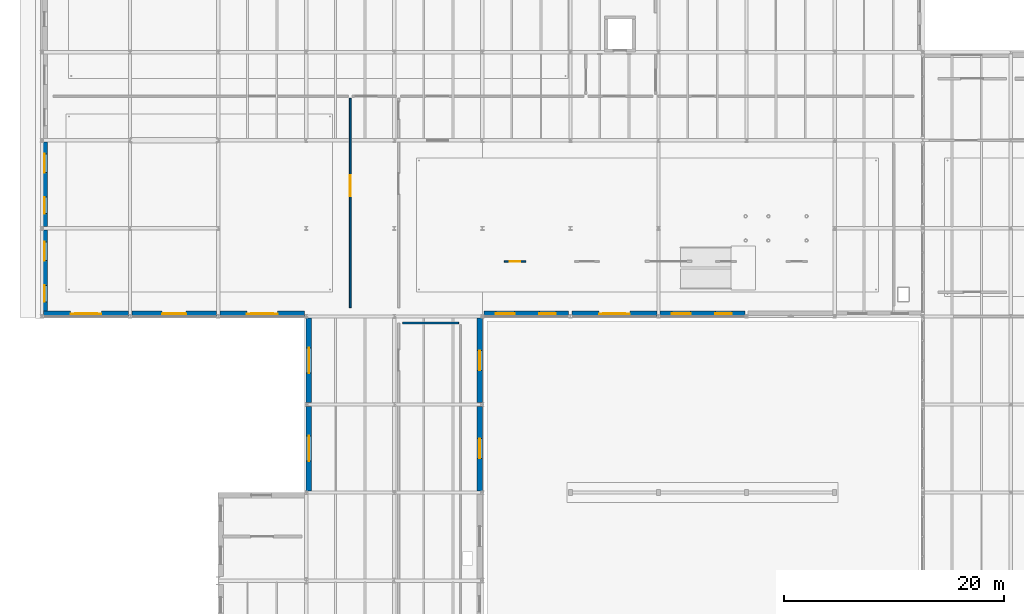
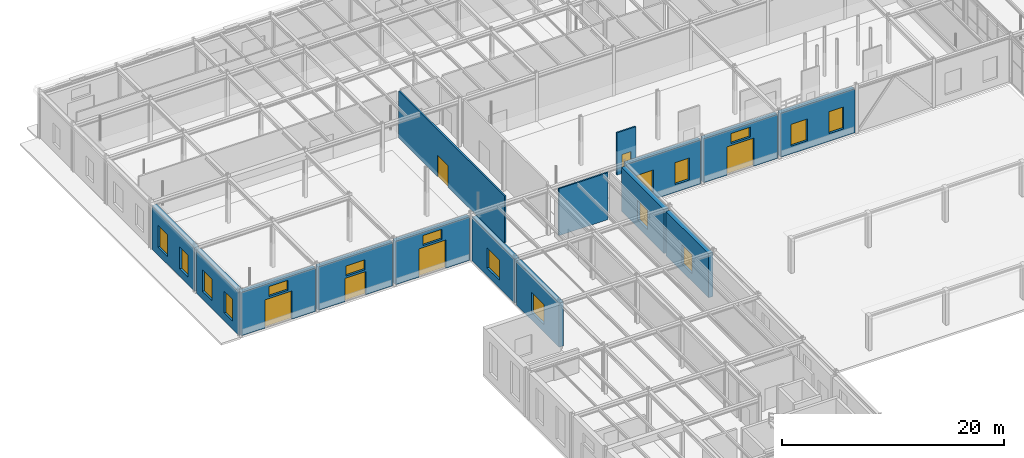
# One storey, part 79 of 129: 16 windows, 15 walls, 6 doors, 22 openings.
"""IFC4 building model written with IfcOpenShell, lengths in metres."""

from ifc_helpers import new_model, si_unit, direction, frame, frame_2d, origin, place, context, subcontext, project, spatial, rectangle, extrude, material, layer, layer_set, type_object, element, fill, save


model = new_model("IFC4")

# Units and contexts
model_context = context("Model", 3, precision=1e-05, world=origin(), true_north=direction((0.0, 1.0)))
body_context = subcontext(model_context, "Body", "Model", "MODEL_VIEW")
ifc_project = project(units=[si_unit("LENGTHUNIT", "METRE"), si_unit("AREAUNIT", "SQUARE_METRE"), si_unit("VOLUMEUNIT", "CUBIC_METRE"), si_unit("PLANEANGLEUNIT", "RADIAN"), si_unit("MASSUNIT", "GRAM", prefix="KILO")], contexts=[model_context])

# Site, building, storey
site_placement = place(None, origin())
site = spatial("IfcSite", under=ifc_project, at=site_placement, CompositionType="ELEMENT")
building_placement = place(site_placement, origin())
building = spatial("IfcBuilding", under=site, at=building_placement, Name="Sundkrona Museum", CompositionType="ELEMENT")
storey_placement = place(building_placement, origin())
storey = spatial("IfcBuildingStorey", under=building, at=storey_placement, Name="L00", CompositionType="ELEMENT", Elevation=0.0)

# Wall, openings, door, window
ifc_material_1 = material(Name="Danian Limestone Ashlar Masonry 480 mm", Category="masonry")
ifc_layer_1 = layer(ifc_material_1, 0.47998046875)
ifc_layer_set_1 = layer_set([ifc_layer_1], Name="Danian Limestone Ashlar Masonry 480 mm")
wall_type_1 = type_object("IfcWallType", Name="W-LIM-480", PredefinedType="SOLIDWALL", material=ifc_layer_set_1)
wall_1_placement = place(storey_placement, frame((7.847900390625, 78.239990234375, 0.0), z_axis=(0.0, 0.0, 1.0), x_axis=(-1.0, 0.0, 0.0)))
wall_1 = element("IfcWall", 1, at=wall_1_placement, inside=storey, type_object=wall_type_1, Name="L00 Facade Wall 0094", PredefinedType="SOLIDWALL", context=body_context, shape_type="SweptSolid", body=[
    extrude(rectangle(XDim=7.69580078125, YDim=0.47998046875, at=frame_2d((3.847900390625, 0.0))), origin(), (0.0, 0.0, 1.0), 4.77490234375),
])
opening_1_placement = place(wall_1_placement, frame((2.447998046875, 0.0, 0.0)))
opening_1 = element("IfcOpeningElement", 2, at=opening_1_placement, cuts=wall_1, Name="Opening D-EX-280", PredefinedType="OPENING", context=body_context, shape_type="SweptSolid", body=[
    extrude(rectangle(XDim=2.800048828125, YDim=3.10009765625, at=frame_2d((1.39990234375, 1.550048828125))), frame((0.0, 0.25, 0.0), z_axis=(0.0, -1.0, 0.0), x_axis=(1.0, 0.0, 0.0)), (0.0, 0.0, 1.0), 0.5),
])
opening_2_placement = place(wall_1_placement, frame((2.847900390625, 0.0, 3.320068359375)))
opening_2 = element("IfcOpeningElement", 3, at=opening_2_placement, cuts=wall_1, Name="Opening WN-CL-200x110", PredefinedType="OPENING", context=body_context, shape_type="SweptSolid", body=[
    extrude(rectangle(XDim=2.0, YDim=1.10009765625, at=frame_2d((1.0, 0.550048828125))), frame((0.0, 0.25, 0.0), z_axis=(0.0, -1.0, 0.0), x_axis=(1.0, 0.0, 0.0)), (0.0, 0.0, 1.0), 0.5),
])
ifc_material_2 = material(Name="Bronze and Triple-Glazed Entrance Door", Category="other")
door_type_1 = type_object("IfcDoorType", Name="D-EX-280", OperationType="DOUBLE_DOOR_SINGLE_SWING", PredefinedType="DOOR", material=ifc_material_2)
door_1_placement = place(opening_1_placement, origin())
door_1 = element("IfcDoor", 4, at=door_1_placement, inside=storey, type_object=door_type_1, Name="L00 Exterior Door D-EX-280 DR-FE-V3S-0", OperationType="DOUBLE_DOOR_SINGLE_SWING", OverallHeight=3.10009765625, OverallWidth=2.800048828125, PredefinedType="DOOR", context=body_context, shape_type="SweptSolid", body=[
    extrude(rectangle(XDim=2.800048828125, YDim=3.10009765625, at=frame_2d((1.39990234375, 1.550048828125))), frame((0.0, 0.02490234375, 0.0), z_axis=(0.0, -1.0, 0.0), x_axis=(1.0, 0.0, 0.0)), (0.0, 0.0, 1.0), 0.050048828125),
])
fill(opening_1, door_1)
ifc_material_3 = material(Name="Triple Low-E Argon Glazing in Bronze-Anodised Aluminium", Category="aluminium")
window_type_1 = type_object("IfcWindowType", Name="WN-CL-200x110", PartitioningType="DOUBLE_PANEL_HORIZONTAL", PredefinedType="WINDOW", material=ifc_material_3)
window_1_placement = place(opening_2_placement, origin())
window_1 = element("IfcWindow", 5, at=window_1_placement, inside=storey, type_object=window_type_1, Name="L00 Archive foyer clerestory window 2000x1100 WIN-L00-0129", OverallHeight=1.10009765625, OverallWidth=2.0, PartitioningType="DOUBLE_PANEL_HORIZONTAL", PredefinedType="WINDOW", context=body_context, shape_type="SweptSolid", body=[
    extrude(rectangle(XDim=2.0, YDim=1.10009765625, at=frame_2d((1.0, 0.550048828125))), frame((0.0, 0.030029296875, 0.0), z_axis=(0.0, -1.0, 0.0), x_axis=(1.0, 0.0, 0.0)), (0.0, 0.0, 1.0), 0.06005859375),
])
fill(opening_2, window_1)

wall_2_placement = place(storey_placement, frame((15.847900390625, 78.239990234375, 0.0), z_axis=(0.0, 0.0, 1.0), x_axis=(-1.0, 0.0, 0.0)))
wall_2 = element("IfcWall", 6, at=wall_2_placement, inside=storey, type_object=wall_type_1, Name="L00 Facade Wall 0095", PredefinedType="SOLIDWALL", context=body_context, shape_type="SweptSolid", body=[
    extrude(rectangle(XDim=7.69580078125, YDim=0.47998046875, at=frame_2d((3.847900390625, 0.0))), origin(), (0.0, 0.0, 1.0), 4.77490234375),
])
opening_3_placement = place(wall_2_placement, frame((2.748046875, 0.0, 0.0)))
opening_3 = element("IfcOpeningElement", 7, at=opening_3_placement, cuts=wall_2, Name="Opening D-EX-220", PredefinedType="OPENING", context=body_context, shape_type="SweptSolid", body=[
    extrude(rectangle(XDim=2.199951171875, YDim=2.550048828125, at=frame_2d((1.10009765625, 1.27490234375))), frame((0.0, 0.25, 0.0), z_axis=(0.0, -1.0, 0.0), x_axis=(1.0, 0.0, 0.0)), (0.0, 0.0, 1.0), 0.5),
])
opening_4_placement = place(wall_2_placement, frame((2.847900390625, 0.0, 2.77001953125)))
opening_4 = element("IfcOpeningElement", 8, at=opening_4_placement, cuts=wall_2, Name="Opening WN-CL-200x110", PredefinedType="OPENING", context=body_context, shape_type="SweptSolid", body=[
    extrude(rectangle(XDim=2.0, YDim=1.10009765625, at=frame_2d((1.0, 0.550048828125))), frame((0.0, 0.25, 0.0), z_axis=(0.0, -1.0, 0.0), x_axis=(1.0, 0.0, 0.0)), (0.0, 0.0, 1.0), 0.5),
])
ifc_material_4 = material(Name="Thermally Broken Bronze Exit Door", Category="other")
door_type_2 = type_object("IfcDoorType", Name="D-EX-220", OperationType="DOUBLE_DOOR_SINGLE_SWING", PredefinedType="DOOR", material=ifc_material_4)
door_2_placement = place(opening_3_placement, origin())
door_2 = element("IfcDoor", 9, at=door_2_placement, inside=storey, type_object=door_type_2, Name="L00 Exterior Door D-EX-220 DR-FE-V3S-8", OperationType="DOUBLE_DOOR_SINGLE_SWING", OverallHeight=2.550048828125, OverallWidth=2.199951171875, PredefinedType="DOOR", context=body_context, shape_type="SweptSolid", body=[
    extrude(rectangle(XDim=2.199951171875, YDim=2.550048828125, at=frame_2d((1.10009765625, 1.27490234375))), frame((0.0, 0.02490234375, 0.0), z_axis=(0.0, -1.0, 0.0), x_axis=(1.0, 0.0, 0.0)), (0.0, 0.0, 1.0), 0.050048828125),
])
fill(opening_3, door_2)
window_2_placement = place(opening_4_placement, origin())
window_2 = element("IfcWindow", 10, at=window_2_placement, inside=storey, type_object=window_type_1, Name="L00 Archive foyer clerestory window 2000x1100 WIN-L00-0130", OverallHeight=1.10009765625, OverallWidth=2.0, PartitioningType="DOUBLE_PANEL_HORIZONTAL", PredefinedType="WINDOW", context=body_context, shape_type="SweptSolid", body=[
    extrude(rectangle(XDim=2.0, YDim=1.10009765625, at=frame_2d((1.0, 0.550048828125))), frame((0.0, 0.030029296875, 0.0), z_axis=(0.0, -1.0, 0.0), x_axis=(1.0, 0.0, 0.0)), (0.0, 0.0, 1.0), 0.06005859375),
])
fill(opening_4, window_2)

wall_3_placement = place(storey_placement, frame((23.847900390625, 78.239990234375, 0.0), z_axis=(0.0, 0.0, 1.0), x_axis=(-1.0, 0.0, 0.0)))
wall_3 = element("IfcWall", 11, at=wall_3_placement, inside=storey, type_object=wall_type_1, Name="L00 Facade Wall 0096", PredefinedType="SOLIDWALL", context=body_context, shape_type="SweptSolid", body=[
    extrude(rectangle(XDim=7.69580078125, YDim=0.47998046875, at=frame_2d((3.847900390625, 0.0))), origin(), (0.0, 0.0, 1.0), 4.77490234375),
])
opening_5_placement = place(wall_3_placement, frame((2.447998046875, 0.0, 0.0)))
opening_5 = element("IfcOpeningElement", 12, at=opening_5_placement, cuts=wall_3, Name="Opening D-EX-280", PredefinedType="OPENING", context=body_context, shape_type="SweptSolid", body=[
    extrude(rectangle(XDim=2.800048828125, YDim=3.10009765625, at=frame_2d((1.39990234375, 1.550048828125))), frame((0.0, 0.25, 0.0), z_axis=(0.0, -1.0, 0.0), x_axis=(1.0, 0.0, 0.0)), (0.0, 0.0, 1.0), 0.5),
])
opening_6_placement = place(wall_3_placement, frame((2.847900390625, 0.0, 3.320068359375)))
opening_6 = element("IfcOpeningElement", 13, at=opening_6_placement, cuts=wall_3, Name="Opening WN-CL-200x110", PredefinedType="OPENING", context=body_context, shape_type="SweptSolid", body=[
    extrude(rectangle(XDim=2.0, YDim=1.10009765625, at=frame_2d((1.0, 0.550048828125))), frame((0.0, 0.25, 0.0), z_axis=(0.0, -1.0, 0.0), x_axis=(1.0, 0.0, 0.0)), (0.0, 0.0, 1.0), 0.5),
])
door_3_placement = place(opening_5_placement, origin())
door_3 = element("IfcDoor", 14, at=door_3_placement, inside=storey, type_object=door_type_1, Name="L00 Exterior Door D-EX-280 DR-FE-V3S-16", OperationType="DOUBLE_DOOR_SINGLE_SWING", OverallHeight=3.10009765625, OverallWidth=2.800048828125, PredefinedType="DOOR", context=body_context, shape_type="SweptSolid", body=[
    extrude(rectangle(XDim=2.800048828125, YDim=3.10009765625, at=frame_2d((1.39990234375, 1.550048828125))), frame((0.0, 0.02490234375, 0.0), z_axis=(0.0, -1.0, 0.0), x_axis=(1.0, 0.0, 0.0)), (0.0, 0.0, 1.0), 0.050048828125),
])
fill(opening_5, door_3)
window_3_placement = place(opening_6_placement, origin())
window_3 = element("IfcWindow", 15, at=window_3_placement, inside=storey, type_object=window_type_1, Name="L00 Archive foyer clerestory window 2000x1100 WIN-L00-0131", OverallHeight=1.10009765625, OverallWidth=2.0, PartitioningType="DOUBLE_PANEL_HORIZONTAL", PredefinedType="WINDOW", context=body_context, shape_type="SweptSolid", body=[
    extrude(rectangle(XDim=2.0, YDim=1.10009765625, at=frame_2d((1.0, 0.550048828125))), frame((0.0, 0.030029296875, 0.0), z_axis=(0.0, -1.0, 0.0), x_axis=(1.0, 0.0, 0.0)), (0.0, 0.0, 1.0), 0.06005859375),
])
fill(opening_6, window_3)

# Wall, openings, windows
wall_4_placement = place(storey_placement, frame((47.847900390625, 78.239990234375, 0.0), z_axis=(0.0, 0.0, 1.0), x_axis=(-1.0, 0.0, 0.0)))
wall_4 = element("IfcWall", 16, at=wall_4_placement, inside=storey, type_object=wall_type_1, Name="L00 Facade Wall 0097", PredefinedType="SOLIDWALL", context=body_context, shape_type="SweptSolid", body=[
    extrude(rectangle(XDim=7.69580078125, YDim=0.47998046875, at=frame_2d((3.847900390625, 0.0))), origin(), (0.0, 0.0, 1.0), 4.8349609375),
])
opening_7_placement = place(wall_4_placement, frame((1.174072265625, 0.0, 0.85009765625)))
opening_7 = element("IfcOpeningElement", 17, at=opening_7_placement, cuts=wall_4, Name="Opening WN-GL-150x240", PredefinedType="OPENING", context=body_context, shape_type="SweptSolid", body=[
    extrude(rectangle(XDim=1.5, YDim=2.39990234375, at=frame_2d((0.75, 1.199951171875))), frame((0.0, 0.25, 0.0), z_axis=(0.0, -1.0, 0.0), x_axis=(1.0, 0.0, 0.0)), (0.0, 0.0, 1.0), 0.5),
])
opening_8_placement = place(wall_4_placement, frame((4.922119140625, 0.0, 0.85009765625)))
opening_8 = element("IfcOpeningElement", 18, at=opening_8_placement, cuts=wall_4, Name="Opening WN-GL-170x240", PredefinedType="OPENING", context=body_context, shape_type="SweptSolid", body=[
    extrude(rectangle(XDim=1.699951171875, YDim=2.39990234375, at=frame_2d((0.85009765625, 1.199951171875))), frame((0.0, 0.25, 0.0), z_axis=(0.0, -1.0, 0.0), x_axis=(1.0, 0.0, 0.0)), (0.0, 0.0, 1.0), 0.5),
])
window_type_2 = type_object("IfcWindowType", Name="WN-GL-150x240", PartitioningType="SINGLE_PANEL", PredefinedType="WINDOW", material=ifc_material_3)
window_4_placement = place(opening_7_placement, origin())
window_4 = element("IfcWindow", 19, at=window_4_placement, inside=storey, type_object=window_type_2, Name="L00 Finned wing deep-reveal gallery window 1500x2400 WIN-L00-0132", OverallHeight=2.39990234375, OverallWidth=1.5, PartitioningType="SINGLE_PANEL", PredefinedType="WINDOW", context=body_context, shape_type="SweptSolid", body=[
    extrude(rectangle(XDim=1.5, YDim=2.39990234375, at=frame_2d((0.75, 1.199951171875))), frame((0.0, 0.030029296875, 0.0), z_axis=(0.0, -1.0, 0.0), x_axis=(1.0, 0.0, 0.0)), (0.0, 0.0, 1.0), 0.06005859375),
])
fill(opening_7, window_4)
window_type_3 = type_object("IfcWindowType", Name="WN-GL-170x240", PartitioningType="DOUBLE_PANEL_VERTICAL", PredefinedType="WINDOW", material=ifc_material_3)
window_5_placement = place(opening_8_placement, origin())
window_5 = element("IfcWindow", 20, at=window_5_placement, inside=storey, type_object=window_type_3, Name="L00 Finned wing wide gallery window 1700x2400 WIN-L00-0133", OverallHeight=2.39990234375, OverallWidth=1.699951171875, PartitioningType="DOUBLE_PANEL_VERTICAL", PredefinedType="WINDOW", context=body_context, shape_type="SweptSolid", body=[
    extrude(rectangle(XDim=1.699951171875, YDim=2.39990234375, at=frame_2d((0.85009765625, 1.199951171875))), frame((0.0, 0.030029296875, 0.0), z_axis=(0.0, -1.0, 0.0), x_axis=(1.0, 0.0, 0.0)), (0.0, 0.0, 1.0), 0.06005859375),
])
fill(opening_8, window_5)

# Wall, openings, door, window
wall_5_placement = place(storey_placement, frame((55.847900390625, 78.239990234375, 0.0), z_axis=(0.0, 0.0, 1.0), x_axis=(-1.0, 0.0, 0.0)))
wall_5 = element("IfcWall", 21, at=wall_5_placement, inside=storey, type_object=wall_type_1, Name="L00 Facade Wall 0098", PredefinedType="SOLIDWALL", context=body_context, shape_type="SweptSolid", body=[
    extrude(rectangle(XDim=7.69580078125, YDim=0.47998046875, at=frame_2d((3.847900390625, 0.0))), origin(), (0.0, 0.0, 1.0), 4.8349609375),
])
opening_9_placement = place(wall_5_placement, frame((2.447998046875, 0.0, 0.0)))
opening_9 = element("IfcOpeningElement", 22, at=opening_9_placement, cuts=wall_5, Name="Opening D-EX-280", PredefinedType="OPENING", context=body_context, shape_type="SweptSolid", body=[
    extrude(rectangle(XDim=2.800048828125, YDim=3.10009765625, at=frame_2d((1.39990234375, 1.550048828125))), frame((0.0, 0.25, 0.0), z_axis=(0.0, -1.0, 0.0), x_axis=(1.0, 0.0, 0.0)), (0.0, 0.0, 1.0), 0.5),
])
opening_10_placement = place(wall_5_placement, frame((2.847900390625, 0.0, 3.320068359375)))
opening_10 = element("IfcOpeningElement", 23, at=opening_10_placement, cuts=wall_5, Name="Opening WN-CL-200x110", PredefinedType="OPENING", context=body_context, shape_type="SweptSolid", body=[
    extrude(rectangle(XDim=2.0, YDim=1.10009765625, at=frame_2d((1.0, 0.550048828125))), frame((0.0, 0.25, 0.0), z_axis=(0.0, -1.0, 0.0), x_axis=(1.0, 0.0, 0.0)), (0.0, 0.0, 1.0), 0.5),
])
door_4_placement = place(opening_9_placement, origin())
door_4 = element("IfcDoor", 24, at=door_4_placement, inside=storey, type_object=door_type_1, Name="L00 Exterior Door D-EX-280 DR-FE-V3S-48", OperationType="DOUBLE_DOOR_SINGLE_SWING", OverallHeight=3.10009765625, OverallWidth=2.800048828125, PredefinedType="DOOR", context=body_context, shape_type="SweptSolid", body=[
    extrude(rectangle(XDim=2.800048828125, YDim=3.10009765625, at=frame_2d((1.39990234375, 1.550048828125))), frame((0.0, 0.02490234375, 0.0), z_axis=(0.0, -1.0, 0.0), x_axis=(1.0, 0.0, 0.0)), (0.0, 0.0, 1.0), 0.050048828125),
])
fill(opening_9, door_4)
window_6_placement = place(opening_10_placement, origin())
window_6 = element("IfcWindow", 25, at=window_6_placement, inside=storey, type_object=window_type_1, Name="L00 Archive foyer clerestory window 2000x1100 WIN-L00-0134", OverallHeight=1.10009765625, OverallWidth=2.0, PartitioningType="DOUBLE_PANEL_HORIZONTAL", PredefinedType="WINDOW", context=body_context, shape_type="SweptSolid", body=[
    extrude(rectangle(XDim=2.0, YDim=1.10009765625, at=frame_2d((1.0, 0.550048828125))), frame((0.0, 0.030029296875, 0.0), z_axis=(0.0, -1.0, 0.0), x_axis=(1.0, 0.0, 0.0)), (0.0, 0.0, 1.0), 0.06005859375),
])
fill(opening_10, window_6)

# Wall, openings, windows
wall_6_placement = place(storey_placement, frame((63.847900390625, 78.239990234375, 0.0), z_axis=(0.0, 0.0, 1.0), x_axis=(-1.0, 0.0, 0.0)))
wall_6 = element("IfcWall", 26, at=wall_6_placement, inside=storey, type_object=wall_type_1, Name="L00 Facade Wall 0099", PredefinedType="SOLIDWALL", context=body_context, shape_type="SweptSolid", body=[
    extrude(rectangle(XDim=7.69580078125, YDim=0.47998046875, at=frame_2d((3.847900390625, 0.0))), origin(), (0.0, 0.0, 1.0), 4.8349609375),
])
opening_11_placement = place(wall_6_placement, frame((1.174072265625, 0.0, 0.85009765625)))
opening_11 = element("IfcOpeningElement", 27, at=opening_11_placement, cuts=wall_6, Name="Opening WN-GL-150x240", PredefinedType="OPENING", context=body_context, shape_type="SweptSolid", body=[
    extrude(rectangle(XDim=1.5, YDim=2.39990234375, at=frame_2d((0.75, 1.199951171875))), frame((0.0, 0.25, 0.0), z_axis=(0.0, -1.0, 0.0), x_axis=(1.0, 0.0, 0.0)), (0.0, 0.0, 1.0), 0.5),
])
opening_12_placement = place(wall_6_placement, frame((4.922119140625, 0.0, 0.85009765625)))
opening_12 = element("IfcOpeningElement", 28, at=opening_12_placement, cuts=wall_6, Name="Opening WN-GL-170x240", PredefinedType="OPENING", context=body_context, shape_type="SweptSolid", body=[
    extrude(rectangle(XDim=1.699951171875, YDim=2.39990234375, at=frame_2d((0.85009765625, 1.199951171875))), frame((0.0, 0.25, 0.0), z_axis=(0.0, -1.0, 0.0), x_axis=(1.0, 0.0, 0.0)), (0.0, 0.0, 1.0), 0.5),
])
window_7_placement = place(opening_11_placement, origin())
window_7 = element("IfcWindow", 29, at=window_7_placement, inside=storey, type_object=window_type_2, Name="L00 Finned wing deep-reveal gallery window 1500x2400 WIN-L00-0135", OverallHeight=2.39990234375, OverallWidth=1.5, PartitioningType="SINGLE_PANEL", PredefinedType="WINDOW", context=body_context, shape_type="SweptSolid", body=[
    extrude(rectangle(XDim=1.5, YDim=2.39990234375, at=frame_2d((0.75, 1.199951171875))), frame((0.0, 0.030029296875, 0.0), z_axis=(0.0, -1.0, 0.0), x_axis=(1.0, 0.0, 0.0)), (0.0, 0.0, 1.0), 0.06005859375),
])
fill(opening_11, window_7)
window_8_placement = place(opening_12_placement, origin())
window_8 = element("IfcWindow", 30, at=window_8_placement, inside=storey, type_object=window_type_3, Name="L00 Finned wing wide gallery window 1700x2400 WIN-L00-0136", OverallHeight=2.39990234375, OverallWidth=1.699951171875, PartitioningType="DOUBLE_PANEL_VERTICAL", PredefinedType="WINDOW", context=body_context, shape_type="SweptSolid", body=[
    extrude(rectangle(XDim=1.699951171875, YDim=2.39990234375, at=frame_2d((0.85009765625, 1.199951171875))), frame((0.0, 0.030029296875, 0.0), z_axis=(0.0, -1.0, 0.0), x_axis=(1.0, 0.0, 0.0)), (0.0, 0.0, 1.0), 0.06005859375),
])
fill(opening_12, window_8)

wall_7_placement = place(storey_placement, frame((0.239990234375, 78.162109375, 0.0), z_axis=(0.0, 0.0, 1.0), x_axis=(0.0, 1.0, 0.0)))
wall_7 = element("IfcWall", 31, at=wall_7_placement, inside=storey, type_object=wall_type_1, Name="L00 Facade Wall 0102", PredefinedType="SOLIDWALL", context=body_context, shape_type="SweptSolid", body=[
    extrude(rectangle(XDim=7.67578125, YDim=0.47998046875, at=frame_2d((3.837890625, 0.0))), origin(), (0.0, 0.0, 1.0), 4.77490234375),
])
opening_13_placement = place(wall_7_placement, frame((1.1689453125, 0.0, 0.85009765625)))
opening_13 = element("IfcOpeningElement", 32, at=opening_13_placement, cuts=wall_7, Name="Opening WN-GL-150x240", PredefinedType="OPENING", context=body_context, shape_type="SweptSolid", body=[
    extrude(rectangle(XDim=1.5, YDim=2.39990234375, at=frame_2d((0.75, 1.199951171875))), frame((0.0, 0.25, 0.0), z_axis=(0.0, -1.0, 0.0), x_axis=(1.0, 0.0, 0.0)), (0.0, 0.0, 1.0), 0.5),
])
opening_14_placement = place(wall_7_placement, frame((4.906982421875, 0.0, 0.85009765625)))
opening_14 = element("IfcOpeningElement", 33, at=opening_14_placement, cuts=wall_7, Name="Opening WN-GL-170x240", PredefinedType="OPENING", context=body_context, shape_type="SweptSolid", body=[
    extrude(rectangle(XDim=1.699951171875, YDim=2.39990234375, at=frame_2d((0.85009765625, 1.199951171875))), frame((0.0, 0.25, 0.0), z_axis=(0.0, -1.0, 0.0), x_axis=(1.0, 0.0, 0.0)), (0.0, 0.0, 1.0), 0.5),
])
window_9_placement = place(opening_13_placement, origin())
window_9 = element("IfcWindow", 34, at=window_9_placement, inside=storey, type_object=window_type_2, Name="L00 Finned wing deep-reveal gallery window 1500x2400 WIN-L00-0139", OverallHeight=2.39990234375, OverallWidth=1.5, PartitioningType="SINGLE_PANEL", PredefinedType="WINDOW", context=body_context, shape_type="SweptSolid", body=[
    extrude(rectangle(XDim=1.5, YDim=2.39990234375, at=frame_2d((0.75, 1.199951171875))), frame((0.0, 0.030029296875, 0.0), z_axis=(0.0, -1.0, 0.0), x_axis=(1.0, 0.0, 0.0)), (0.0, 0.0, 1.0), 0.06005859375),
])
fill(opening_13, window_9)
window_10_placement = place(opening_14_placement, origin())
window_10 = element("IfcWindow", 35, at=window_10_placement, inside=storey, type_object=window_type_3, Name="L00 Finned wing wide gallery window 1700x2400 WIN-L00-0140", OverallHeight=2.39990234375, OverallWidth=1.699951171875, PartitioningType="DOUBLE_PANEL_VERTICAL", PredefinedType="WINDOW", context=body_context, shape_type="SweptSolid", body=[
    extrude(rectangle(XDim=1.699951171875, YDim=2.39990234375, at=frame_2d((0.85009765625, 1.199951171875))), frame((0.0, 0.030029296875, 0.0), z_axis=(0.0, -1.0, 0.0), x_axis=(1.0, 0.0, 0.0)), (0.0, 0.0, 1.0), 0.06005859375),
])
fill(opening_14, window_10)

wall_8_placement = place(storey_placement, frame((0.239990234375, 86.162109375, 0.0), z_axis=(0.0, 0.0, 1.0), x_axis=(0.0, 1.0, 0.0)))
wall_8 = element("IfcWall", 36, at=wall_8_placement, inside=storey, type_object=wall_type_1, Name="L00 Facade Wall 0103", PredefinedType="SOLIDWALL", context=body_context, shape_type="SweptSolid", body=[
    extrude(rectangle(XDim=7.67578125, YDim=0.47998046875, at=frame_2d((3.837890625, 0.0))), origin(), (0.0, 0.0, 1.0), 4.77490234375),
])
opening_15_placement = place(wall_8_placement, frame((1.1689453125, 0.0, 0.85009765625)))
opening_15 = element("IfcOpeningElement", 37, at=opening_15_placement, cuts=wall_8, Name="Opening WN-GL-150x240", PredefinedType="OPENING", context=body_context, shape_type="SweptSolid", body=[
    extrude(rectangle(XDim=1.5, YDim=2.39990234375, at=frame_2d((0.75, 1.199951171875))), frame((0.0, 0.25, 0.0), z_axis=(0.0, -1.0, 0.0), x_axis=(1.0, 0.0, 0.0)), (0.0, 0.0, 1.0), 0.5),
])
opening_16_placement = place(wall_8_placement, frame((4.906982421875, 0.0, 0.85009765625)))
opening_16 = element("IfcOpeningElement", 38, at=opening_16_placement, cuts=wall_8, Name="Opening WN-GL-170x240", PredefinedType="OPENING", context=body_context, shape_type="SweptSolid", body=[
    extrude(rectangle(XDim=1.699951171875, YDim=2.39990234375, at=frame_2d((0.85009765625, 1.199951171875))), frame((0.0, 0.25, 0.0), z_axis=(0.0, -1.0, 0.0), x_axis=(1.0, 0.0, 0.0)), (0.0, 0.0, 1.0), 0.5),
])
window_11_placement = place(opening_15_placement, origin())
window_11 = element("IfcWindow", 39, at=window_11_placement, inside=storey, type_object=window_type_2, Name="L00 Finned wing deep-reveal gallery window 1500x2400 WIN-L00-0141", OverallHeight=2.39990234375, OverallWidth=1.5, PartitioningType="SINGLE_PANEL", PredefinedType="WINDOW", context=body_context, shape_type="SweptSolid", body=[
    extrude(rectangle(XDim=1.5, YDim=2.39990234375, at=frame_2d((0.75, 1.199951171875))), frame((0.0, 0.030029296875, 0.0), z_axis=(0.0, -1.0, 0.0), x_axis=(1.0, 0.0, 0.0)), (0.0, 0.0, 1.0), 0.06005859375),
])
fill(opening_15, window_11)
window_12_placement = place(opening_16_placement, origin())
window_12 = element("IfcWindow", 40, at=window_12_placement, inside=storey, type_object=window_type_3, Name="L00 Finned wing wide gallery window 1700x2400 WIN-L00-0142", OverallHeight=2.39990234375, OverallWidth=1.699951171875, PartitioningType="DOUBLE_PANEL_VERTICAL", PredefinedType="WINDOW", context=body_context, shape_type="SweptSolid", body=[
    extrude(rectangle(XDim=1.699951171875, YDim=2.39990234375, at=frame_2d((0.85009765625, 1.199951171875))), frame((0.0, 0.030029296875, 0.0), z_axis=(0.0, -1.0, 0.0), x_axis=(1.0, 0.0, 0.0)), (0.0, 0.0, 1.0), 0.06005859375),
])
fill(opening_16, window_12)

# Wall, opening, window
wall_9_placement = place(storey_placement, frame((24.239990234375, 62.162109375, 0.0), z_axis=(0.0, 0.0, 1.0), x_axis=(0.0, 1.0, 0.0)))
wall_9 = element("IfcWall", 41, at=wall_9_placement, inside=storey, type_object=wall_type_1, Name="L00 Facade Wall 0205", PredefinedType="SOLIDWALL", context=body_context, shape_type="SweptSolid", body=[
    extrude(rectangle(XDim=7.67578125, YDim=0.47998046875, at=frame_2d((3.837890625, 0.0))), origin(), (0.0, 0.0, 1.0), 4.8349609375),
])
opening_17_placement = place(wall_9_placement, frame((2.68798828125, 0.0, 0.85009765625)))
opening_17 = element("IfcOpeningElement", 42, at=opening_17_placement, cuts=wall_9, Name="Opening WN-ED-230x220", PredefinedType="OPENING", context=body_context, shape_type="SweptSolid", body=[
    extrude(rectangle(XDim=2.300048828125, YDim=2.199951171875, at=frame_2d((1.14990234375, 1.10009765625))), frame((0.0, 0.25, 0.0), z_axis=(0.0, -1.0, 0.0), x_axis=(1.0, 0.0, 0.0)), (0.0, 0.0, 1.0), 0.5),
])
window_type_4 = type_object("IfcWindowType", Name="WN-ED-230x220", PartitioningType="DOUBLE_PANEL_VERTICAL", PredefinedType="WINDOW", material=ifc_material_3)
window_13_placement = place(opening_17_placement, origin())
window_13 = element("IfcWindow", 43, at=window_13_placement, inside=storey, type_object=window_type_4, Name="L00 Lecture foyer courtyard window 2300x2200 WIN-L00-0284", OverallHeight=2.199951171875, OverallWidth=2.300048828125, PartitioningType="DOUBLE_PANEL_VERTICAL", PredefinedType="WINDOW", context=body_context, shape_type="SweptSolid", body=[
    extrude(rectangle(XDim=2.300048828125, YDim=2.199951171875, at=frame_2d((1.14990234375, 1.10009765625))), frame((0.0, 0.030029296875, 0.0), z_axis=(0.0, -1.0, 0.0), x_axis=(1.0, 0.0, 0.0)), (0.0, 0.0, 1.0), 0.06005859375),
])
fill(opening_17, window_13)

wall_10_placement = place(storey_placement, frame((39.760009765625, 69.837890625, 0.0), z_axis=(0.0, 0.0, 1.0), x_axis=(0.0, -1.0, 0.0)))
wall_10 = element("IfcWall", 44, at=wall_10_placement, inside=storey, type_object=wall_type_1, Name="L00 Facade Wall 0206", PredefinedType="SOLIDWALL", context=body_context, shape_type="SweptSolid", body=[
    extrude(rectangle(XDim=7.67578125, YDim=0.47998046875, at=frame_2d((3.837890625, 0.0))), origin(), (0.0, 0.0, 1.0), 4.8349609375),
])
opening_18_placement = place(wall_10_placement, frame((2.93798828125, 0.0, 0.85009765625)))
opening_18 = element("IfcOpeningElement", 45, at=opening_18_placement, cuts=wall_10, Name="Opening WN-ED-180x210", PredefinedType="OPENING", context=body_context, shape_type="SweptSolid", body=[
    extrude(rectangle(XDim=1.800048828125, YDim=2.10009765625, at=frame_2d((0.89990234375, 1.050048828125))), frame((0.0, 0.25, 0.0), z_axis=(0.0, -1.0, 0.0), x_axis=(1.0, 0.0, 0.0)), (0.0, 0.0, 1.0), 0.5),
])
window_type_5 = type_object("IfcWindowType", Name="WN-ED-180x210", PartitioningType="DOUBLE_PANEL_VERTICAL", PredefinedType="WINDOW", material=ifc_material_3)
window_14_placement = place(opening_18_placement, origin())
window_14 = element("IfcWindow", 46, at=window_14_placement, inside=storey, type_object=window_type_5, Name="L00 Education studio courtyard window 1800x2100 WIN-L00-0285", OverallHeight=2.10009765625, OverallWidth=1.800048828125, PartitioningType="DOUBLE_PANEL_VERTICAL", PredefinedType="WINDOW", context=body_context, shape_type="SweptSolid", body=[
    extrude(rectangle(XDim=1.800048828125, YDim=2.10009765625, at=frame_2d((0.89990234375, 1.050048828125))), frame((0.0, 0.030029296875, 0.0), z_axis=(0.0, -1.0, 0.0), x_axis=(1.0, 0.0, 0.0)), (0.0, 0.0, 1.0), 0.06005859375),
])
fill(opening_18, window_14)

wall_11_placement = place(storey_placement, frame((24.239990234375, 70.162109375, 0.0), z_axis=(0.0, 0.0, 1.0), x_axis=(0.0, 1.0, 0.0)))
wall_11 = element("IfcWall", 47, at=wall_11_placement, inside=storey, type_object=wall_type_1, Name="L00 Facade Wall 0207", PredefinedType="SOLIDWALL", context=body_context, shape_type="SweptSolid", body=[
    extrude(rectangle(XDim=7.67578125, YDim=0.47998046875, at=frame_2d((3.837890625, 0.0))), origin(), (0.0, 0.0, 1.0), 4.8349609375),
])
opening_19_placement = place(wall_11_placement, frame((2.68798828125, 0.0, 0.85009765625)))
opening_19 = element("IfcOpeningElement", 48, at=opening_19_placement, cuts=wall_11, Name="Opening WN-ED-230x220", PredefinedType="OPENING", context=body_context, shape_type="SweptSolid", body=[
    extrude(rectangle(XDim=2.300048828125, YDim=2.199951171875, at=frame_2d((1.14990234375, 1.10009765625))), frame((0.0, 0.25, 0.0), z_axis=(0.0, -1.0, 0.0), x_axis=(1.0, 0.0, 0.0)), (0.0, 0.0, 1.0), 0.5),
])
window_15_placement = place(opening_19_placement, origin())
window_15 = element("IfcWindow", 49, at=window_15_placement, inside=storey, type_object=window_type_4, Name="L00 Lecture foyer courtyard window 2300x2200 WIN-L00-0286", OverallHeight=2.199951171875, OverallWidth=2.300048828125, PartitioningType="DOUBLE_PANEL_VERTICAL", PredefinedType="WINDOW", context=body_context, shape_type="SweptSolid", body=[
    extrude(rectangle(XDim=2.300048828125, YDim=2.199951171875, at=frame_2d((1.14990234375, 1.10009765625))), frame((0.0, 0.030029296875, 0.0), z_axis=(0.0, -1.0, 0.0), x_axis=(1.0, 0.0, 0.0)), (0.0, 0.0, 1.0), 0.06005859375),
])
fill(opening_19, window_15)

wall_12_placement = place(storey_placement, frame((39.760009765625, 77.837890625, 0.0), z_axis=(0.0, 0.0, 1.0), x_axis=(0.0, -1.0, 0.0)))
wall_12 = element("IfcWall", 50, at=wall_12_placement, inside=storey, type_object=wall_type_1, Name="L00 Facade Wall 0208", PredefinedType="SOLIDWALL", context=body_context, shape_type="SweptSolid", body=[
    extrude(rectangle(XDim=7.67578125, YDim=0.47998046875, at=frame_2d((3.837890625, 0.0))), origin(), (0.0, 0.0, 1.0), 4.8349609375),
])
opening_20_placement = place(wall_12_placement, frame((2.93798828125, 0.0, 0.85009765625)))
opening_20 = element("IfcOpeningElement", 51, at=opening_20_placement, cuts=wall_12, Name="Opening WN-ED-180x210", PredefinedType="OPENING", context=body_context, shape_type="SweptSolid", body=[
    extrude(rectangle(XDim=1.800048828125, YDim=2.10009765625, at=frame_2d((0.89990234375, 1.050048828125))), frame((0.0, 0.25, 0.0), z_axis=(0.0, -1.0, 0.0), x_axis=(1.0, 0.0, 0.0)), (0.0, 0.0, 1.0), 0.5),
])
window_16_placement = place(opening_20_placement, origin())
window_16 = element("IfcWindow", 52, at=window_16_placement, inside=storey, type_object=window_type_5, Name="L00 Education studio courtyard window 1800x2100 WIN-L00-0287", OverallHeight=2.10009765625, OverallWidth=1.800048828125, PartitioningType="DOUBLE_PANEL_VERTICAL", PredefinedType="WINDOW", context=body_context, shape_type="SweptSolid", body=[
    extrude(rectangle(XDim=1.800048828125, YDim=2.10009765625, at=frame_2d((0.89990234375, 1.050048828125))), frame((0.0, 0.030029296875, 0.0), z_axis=(0.0, -1.0, 0.0), x_axis=(1.0, 0.0, 0.0)), (0.0, 0.0, 1.0), 0.06005859375),
])
fill(opening_20, window_16)

# Wall
ifc_material_5 = material(Name="Acoustic Gypsum Partition Board 150 mm", Category="other")
ifc_layer_2 = layer(ifc_material_5, 0.14990234375)
ifc_layer_set_2 = layer_set([ifc_layer_2], Name="Acoustic Gypsum Partition Board 150 mm")
wall_type_2 = type_object("IfcWallType", Name="W-PT-150", PredefinedType="PARTITIONING", material=ifc_layer_set_2)
wall_13_placement = place(storey_placement, frame((32.75, 77.39990234375, 0.0), z_axis=(0.0, 0.0, 1.0), x_axis=(1.0, 0.0, 0.0)))
element("IfcWall", 53, at=wall_13_placement, inside=storey, type_object=wall_type_2, Name="L00 Nordic Botany Cabinet Gallery Enclosure Wall N", PredefinedType="PARTITIONING", context=body_context, shape_type="SweptSolid", body=[
    extrude(rectangle(XDim=5.10009765625, YDim=0.14990234375, at=frame_2d((2.550048828125, 0.0))), origin(), (0.0, 0.0, 1.0), 5.159912109375),
])

# Wall, opening, door
wall_14_placement = place(storey_placement, frame((42.0, 83.0, 0.0), z_axis=(0.0, 0.0, 1.0), x_axis=(1.0, 0.0, 0.0)))
wall_14 = element("IfcWall", 54, at=wall_14_placement, inside=storey, type_object=wall_type_2, Name="L00 Gallery Vestibule Screen 01", PredefinedType="PARTITIONING", context=body_context, shape_type="SweptSolid", body=[
    extrude(rectangle(XDim=1.949951171875, YDim=0.14990234375, at=frame_2d((0.97509765625, 0.0))), origin(), (0.0, 0.0, 1.0), 4.659912109375),
])
opening_21_placement = place(wall_14_placement, frame((0.5, 0.0, 0.0)))
opening_21 = element("IfcOpeningElement", 55, at=opening_21_placement, cuts=wall_14, Name="Opening D-RM-095", PredefinedType="OPENING", context=body_context, shape_type="SweptSolid", body=[
    extrude(rectangle(XDim=0.949951171875, YDim=2.10009765625, at=frame_2d((0.47509765625, 1.050048828125))), frame((0.0, 0.0849609375, 0.0), z_axis=(0.0, -1.0, 0.0), x_axis=(1.0, 0.0, 0.0)), (0.0, 0.0, 1.0), 0.169921875),
])
ifc_material_6 = material(Name="European Oak Door Leaf", Category="other")
door_type_3 = type_object("IfcDoorType", Name="D-RM-095", OperationType="NOTDEFINED", PredefinedType="DOOR", material=ifc_material_6)
door_5_placement = place(opening_21_placement, origin())
door_5 = element("IfcDoor", 56, at=door_5_placement, inside=storey, type_object=door_type_3, Name="L00 Vestibule Door D-RM-095 DR-VST-01", OperationType="SINGLE_SWING_LEFT", OverallHeight=2.10009765625, OverallWidth=0.949951171875, PredefinedType="DOOR", context=body_context, shape_type="SweptSolid", body=[
    extrude(rectangle(XDim=0.949951171875, YDim=2.10009765625, at=frame_2d((0.47509765625, 1.050048828125))), frame((0.0, 0.02490234375, 0.0), z_axis=(0.0, -1.0, 0.0), x_axis=(1.0, 0.0, 0.0)), (0.0, 0.0, 1.0), 0.050048828125),
])
fill(opening_21, door_5)

ifc_material_7 = material(Name="Fire-rated Gypsum Partition Board 175 mm", Category="other")
ifc_layer_3 = layer(ifc_material_7, 0.175048828125)
ifc_layer_set_3 = layer_set([ifc_layer_3], Name="Fire-rated Gypsum Partition Board 175 mm")
wall_type_3 = type_object("IfcWallType", Name="W-PT-175", PredefinedType="PARTITIONING", material=ifc_layer_set_3)
wall_15_placement = place(storey_placement, frame((28.0, 78.800048828125, 0.0), z_axis=(0.0, 0.0, 1.0), x_axis=(0.0, 1.0, 0.0)))
wall_15 = element("IfcWall", 57, at=wall_15_placement, inside=storey, type_object=wall_type_3, Name="L00 Partition West Cloister Corridor / Permanent Visual Arts Gallery", PredefinedType="PARTITIONING", context=body_context, shape_type="SweptSolid", body=[
    extrude(rectangle(XDim=19.0, YDim=0.175048828125, at=frame_2d((9.5, 0.0))), origin(), (0.0, 0.0, 1.0), 5.159912109375),
])
opening_22_placement = place(wall_15_placement, frame((10.1298828125, 0.0, 0.0)))
opening_22 = element("IfcOpeningElement", 58, at=opening_22_placement, cuts=wall_15, Name="Opening D-AUD-190", PredefinedType="OPENING", context=body_context, shape_type="SweptSolid", body=[
    extrude(rectangle(XDim=1.89990234375, YDim=2.35009765625, at=frame_2d((0.949951171875, 1.175048828125))), frame((0.0, 0.097412109375, 0.0), z_axis=(0.0, -1.0, 0.0), x_axis=(1.0, 0.0, 0.0)), (0.0, 0.0, 1.0), 0.195068359375),
])
ifc_material_8 = material(Name="Acoustic Oak Fire Door", Category="other")
door_type_4 = type_object("IfcDoorType", Name="D-AUD-190", OperationType="DOUBLE_DOOR_SINGLE_SWING", PredefinedType="DOOR", material=ifc_material_8)
door_6_placement = place(opening_22_placement, origin())
door_6 = element("IfcDoor", 59, at=door_6_placement, inside=storey, type_object=door_type_4, Name="L00 Interior Door DR-ADJ-L00-0064", OperationType="DOUBLE_DOOR_SINGLE_SWING", OverallHeight=2.35009765625, OverallWidth=1.89990234375, PredefinedType="DOOR", context=body_context, shape_type="SweptSolid", body=[
    extrude(rectangle(XDim=1.89990234375, YDim=2.35009765625, at=frame_2d((0.949951171875, 1.175048828125))), frame((0.0, 0.02490234375, 0.0), z_axis=(0.0, -1.0, 0.0), x_axis=(1.0, 0.0, 0.0)), (0.0, 0.0, 1.0), 0.050048828125),
])
fill(opening_22, door_6)

save(model, "model.ifc")
